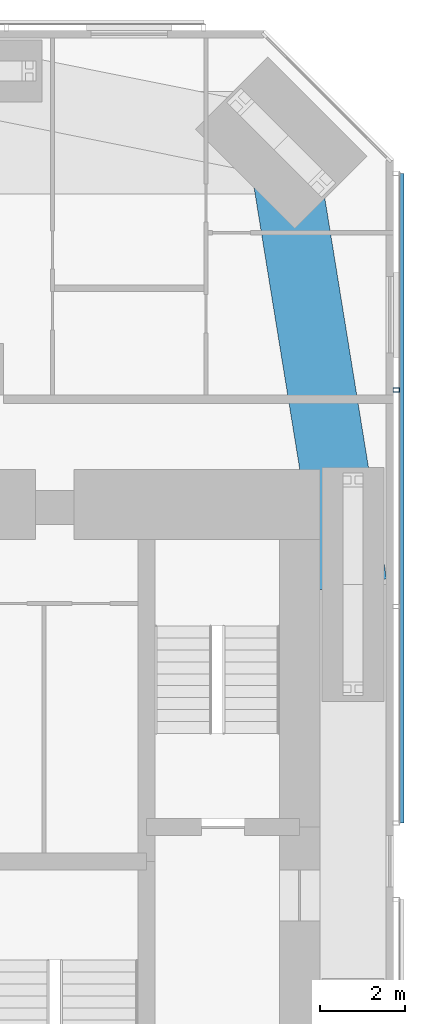
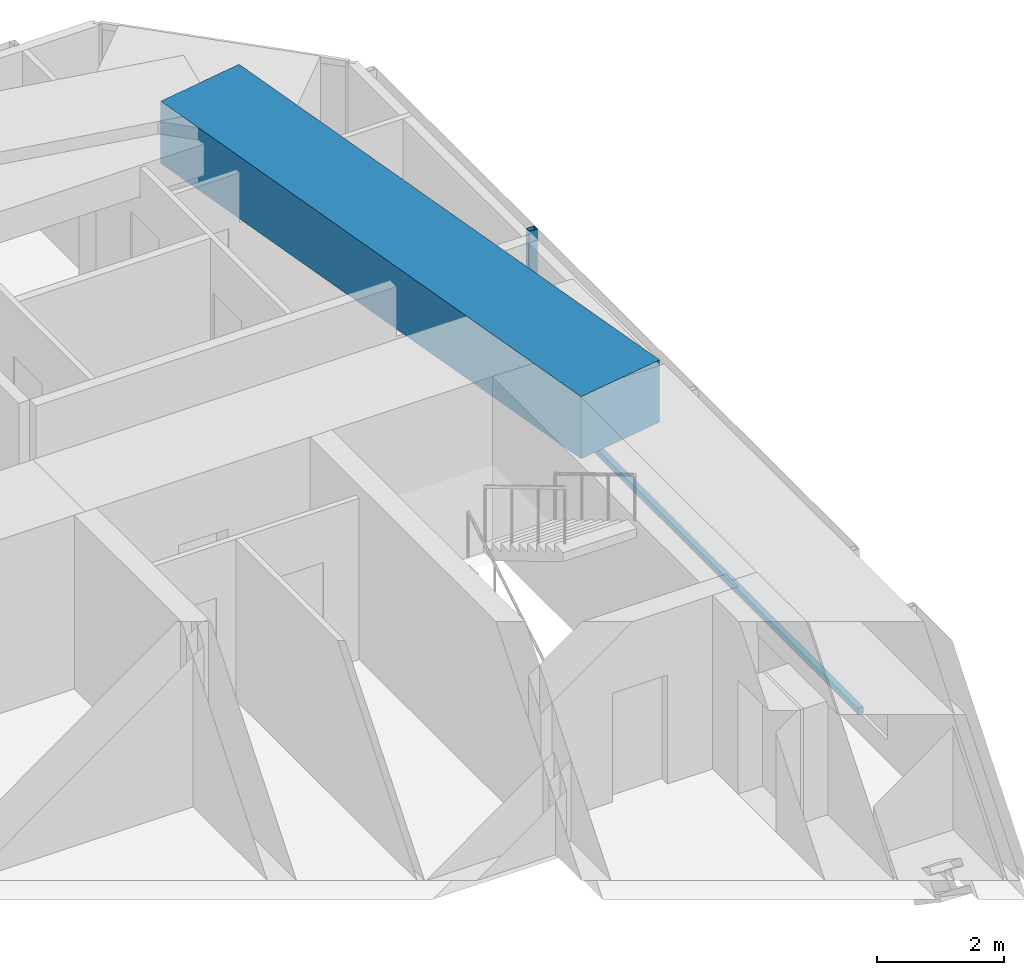
# One storey, part 9 of 22: 2 members, 1 beam, 1 element without a shape of its own.
"""IFC4 building model written with IfcOpenShell, lengths in metres."""

from ifc_helpers import new_model, si_unit, direction, frame, origin, origin_2d, place, context, subcontext, project, spatial, rectangle, hollow_rectangle, extrude, material, material_profile, profile_set, type_object, element, aggregate, save


model = new_model("IFC4")

# Units and contexts
model_context = context("Model", 3, precision=1e-05, world=origin(), true_north=direction((0.0, 1.0)))
body_context = subcontext(model_context, "Body", "Model", "MODEL_VIEW")
ifc_project = project(units=[si_unit("LENGTHUNIT", "METRE"), si_unit("AREAUNIT", "SQUARE_METRE"), si_unit("VOLUMEUNIT", "CUBIC_METRE"), si_unit("PLANEANGLEUNIT", "RADIAN"), si_unit("MASSUNIT", "GRAM", prefix="KILO")], contexts=[model_context])

# Site, building, storey
site_placement = place(None, origin())
site = spatial("IfcSite", under=ifc_project, at=site_placement, CompositionType="ELEMENT")
building_placement = place(site_placement, origin())
building = spatial("IfcBuilding", under=site, at=building_placement, Name="Jalousie Tower", CompositionType="ELEMENT")
storey_placement = place(building_placement, frame((0.0, 0.0, 64.550048828125)))
storey = spatial("IfcBuildingStorey", under=building, at=storey_placement, Name="L17", CompositionType="ELEMENT", Elevation=64.550048828125)

# Beam
ifc_material_1 = material(Name="Concrete f'c 40 MPa", Category="concrete")
ifc_material_profile_1 = material_profile(ifc_material_1, rectangle(XDim=1.60009765625, YDim=1.199951171875, at=origin_2d()), Name="RC 1600x1200")
ifc_profile_set_1 = profile_set([ifc_material_profile_1], Name="Concrete f'c 40 MPa")
beam_type = type_object("IfcBeamType", Name="RC BEAM 1600x1200", PredefinedType="BEAM", material=ifc_profile_set_1)
beam_placement = place(storey_placement, frame((45.050048828125, 25.0, 2.75), z_axis=(-0.160070546476, 0.987105577003, 0.0), x_axis=(-0.987105577003, -0.160070546476, 0.0)))
element("IfcBeam", 1, at=beam_placement, inside=storey, type_object=beam_type, Name="Edge band beam 07-08 under L18", PredefinedType="BEAM", context=body_context, shape_type="SweptSolid", body=[
    extrude(rectangle(XDim=1.60009765625, YDim=1.199951171875, at=origin_2d()), origin(), (0.0, 0.0, 1.0), 10.504150390625),
])

# Curtain wall, members
ifc_material_2 = material(Name="Perforated aluminium sheet", Category="aluminium")
curtain_wall_type = type_object("IfcCurtainWallType", Name="SOLAR SCREEN SS-1", PredefinedType="USERDEFINED", material=ifc_material_2)
curtain_wall_placement = place(storey_placement, origin())
curtain_wall = element("IfcCurtainWall", 2, at=curtain_wall_placement, inside=storey, type_object=curtain_wall_type, Name="Solar screen L17", ObjectType="SOLAR SCREEN SS-1", PredefinedType="USERDEFINED")
ifc_material_3 = material(Name="Steel ASTM A500 Grade C", Category="steel")
ifc_material_profile_2 = material_profile(ifc_material_3, hollow_rectangle(XDim=0.1015625, YDim=0.15234375, WallThickness=0.00634765625, at=origin_2d()), Name="HSS6X4X1/4")
ifc_profile_set_2 = profile_set([ifc_material_profile_2], Name="Steel ASTM A500 Grade C")
member_type_1 = type_object("IfcMemberType", Name="SOLAR SCREEN SS-1 MULLION", PredefinedType="MULLION", material=ifc_profile_set_2)
member_1_placement = place(storey_placement, frame((46.0712890625, 29.56591796875, -0.1201171875), z_axis=(0.0, 0.0, 1.0), x_axis=(0.0, 1.0, 0.0)))
member_1 = element("IfcMember", 3, at=member_1_placement, type_object=member_type_1, Name="SS1 post 3", PredefinedType="MULLION", context=body_context, shape_type="SweptSolid", body=[
    extrude(hollow_rectangle(XDim=0.1015625, YDim=0.15234375, WallThickness=0.00634765625, at=origin_2d()), origin(), (0.0, 0.0, 1.0), 3.22998046875),
])
ifc_material_4 = material(Name="Extruded aluminium screen rail", Category="aluminium")
ifc_material_profile_3 = material_profile(ifc_material_4, rectangle(XDim=0.1015625, YDim=0.1201171875, at=origin_2d()), Name="RAIL 102x120")
ifc_profile_set_3 = profile_set([ifc_material_profile_3], Name="Extruded aluminium screen rail")
member_type_2 = type_object("IfcMemberType", Name="SOLAR SCREEN SS-1 TRANSOM", PredefinedType="USERDEFINED", material=ifc_profile_set_3)
member_2_placement = place(storey_placement, frame((46.1982421875, 19.39990234375, -0.06005859375), z_axis=(0.0, 1.0, 0.0), x_axis=(-1.0, 0.0, 0.0)))
member_2 = element("IfcMember", 4, at=member_2_placement, type_object=member_type_2, Name="SS1 rail", ObjectType="TRANSOM", PredefinedType="USERDEFINED", context=body_context, shape_type="SweptSolid", body=[
    extrude(rectangle(XDim=0.1015625, YDim=0.1201171875, at=origin_2d()), origin(), (0.0, 0.0, 1.0), 15.248779296875),
])
aggregate(curtain_wall, [member_1, member_2])

save(model, "model.ifc")
